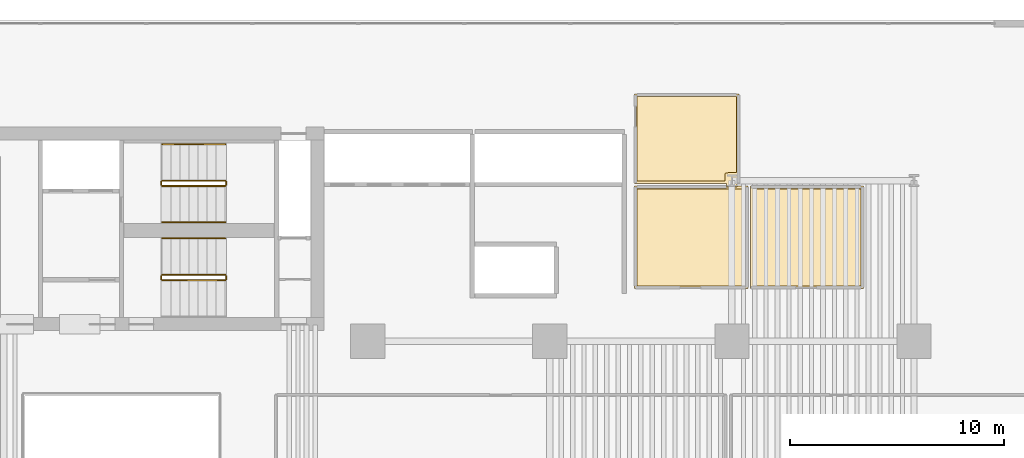
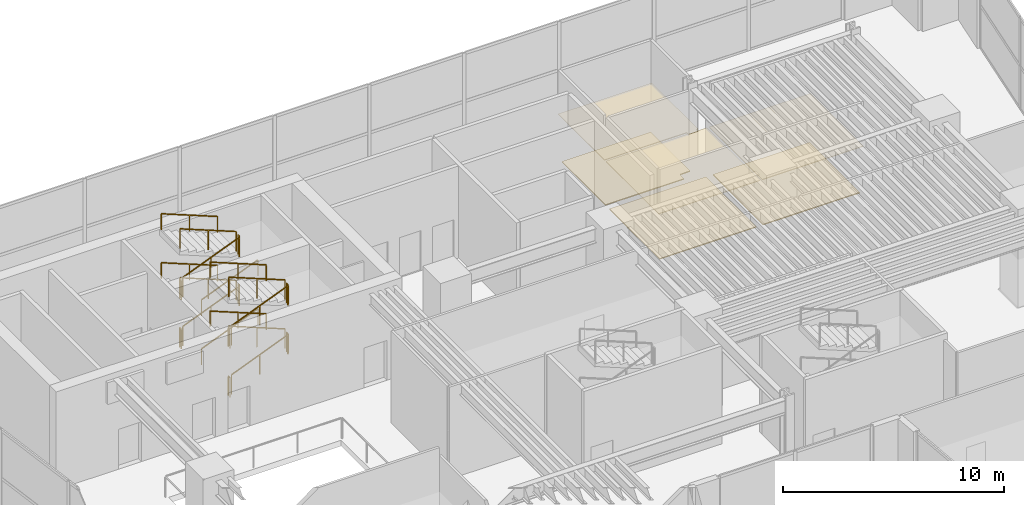
# One storey, part 17 of 17: 22 railings, 6 coverings.
"""IFC4 building model written with IfcOpenShell, lengths in metres."""

from ifc_helpers import new_model, si_unit, direction, frame, origin, origin_2d, place, context, subcontext, project, spatial, polyline, rectangle, outline, extrude, material, layer, layer_set, type_object, element, save


model = new_model("IFC4")

# Units and contexts
model_context = context("Model", 3, precision=1e-05, world=origin(), true_north=direction((0.0, 1.0)))
body_context = subcontext(model_context, "Body", "Model", "MODEL_VIEW")
ifc_project = project(units=[si_unit("LENGTHUNIT", "METRE"), si_unit("AREAUNIT", "SQUARE_METRE"), si_unit("VOLUMEUNIT", "CUBIC_METRE"), si_unit("PLANEANGLEUNIT", "RADIAN"), si_unit("MASSUNIT", "GRAM", prefix="KILO")], contexts=[model_context])

# Site, building, storey
site_placement = place(None, origin())
site = spatial("IfcSite", under=ifc_project, at=site_placement, CompositionType="ELEMENT")
building_placement = place(site_placement, origin())
building = spatial("IfcBuilding", under=site, at=building_placement, Name="Caeloran Harvest Quay", CompositionType="ELEMENT")
storey_placement = place(building_placement, frame((0.0, 0.0, 5.39990234375)))
storey = spatial("IfcBuildingStorey", under=building, at=storey_placement, Name="L02", CompositionType="ELEMENT", Elevation=5.39990234375)

# Coverings
ifc_material_1 = material(Name="Perforated Mineral-Fibre Acoustic Ceiling Tile", Category="ceiling")
ifc_layer_1 = layer(ifc_material_1, 0.0400390625, Name="Perforated Mineral-Fibre Acoustic Ceiling Tile")
ifc_layer_set_1 = layer_set([ifc_layer_1], Name="Perforated Mineral-Fibre Acoustic Ceiling Tile")
covering_type_1 = type_object("IfcCoveringType", Name="COV-CEILING-ACOUSTIC", PredefinedType="CEILING", material=ifc_layer_set_1)
covering_1_placement = place(storey_placement, frame((0.0, 0.0, 2.60009765625)))
element("IfcCovering", 1, at=covering_1_placement, inside=storey, type_object=covering_type_1, Name="L02 Public Male Washroom WC Acoustic Ceiling", PredefinedType="CEILING", context=body_context, shape_type="SweptSolid", body=[
    extrude(outline(polyline([(43.239990234375, 33.4599609375), (37.9599609375, 33.4599609375), (37.9599609375, 38.239990234375), (42.2529296875, 38.239990234375), (42.2529296875, 38.804443359375), (42.7470703125, 38.804443359375), (42.7470703125, 38.239990234375), (43.239990234375, 38.239990234375), (43.239990234375, 33.4599609375)])), origin(), (0.0, 0.0, 1.0), 0.0400390625),
])
covering_2_placement = place(storey_placement, frame((0.0, 0.0, 2.60009765625)))
element("IfcCovering", 2, at=covering_2_placement, inside=storey, type_object=covering_type_1, Name="L02 Public Female Washroom WC Acoustic Ceiling", PredefinedType="CEILING", context=body_context, shape_type="SweptSolid", body=[
    extrude(outline(polyline([(48.639892578125, 38.239990234375), (48.639892578125, 33.4599609375), (43.360107421875, 33.4599609375), (43.360107421875, 38.239990234375), (48.639892578125, 38.239990234375)])), origin(), (0.0, 0.0, 1.0), 0.0400390625),
])
covering_3_placement = place(storey_placement, frame((0.0, 0.0, 2.60009765625)))
element("IfcCovering", 3, at=covering_3_placement, inside=storey, type_object=covering_type_1, Name="L02 Accessible Unisex Washroom WC Acoustic Ceiling", PredefinedType="CEILING", context=body_context, shape_type="SweptSolid", body=[
    extrude(outline(polyline([(42.7470703125, 38.195556640625), (42.2529296875, 38.195556640625), (42.2529296875, 38.360107421875), (37.9599609375, 38.360107421875), (37.9599609375, 42.5400390625), (42.840087890625, 42.5400390625), (42.840087890625, 38.360107421875), (42.7470703125, 38.360107421875), (42.7470703125, 38.195556640625)])), origin(), (0.0, 0.0, 1.0), 0.0400390625),
])
ifc_material_2 = material(Name="Calcium-Sulphate Raised Access Floor and Terrazzo Finish", Category="flooring")
ifc_layer_2 = layer(ifc_material_2, 0.050048828125, Name="Calcium-Sulphate Raised Access Floor and Terrazzo Finish")
ifc_layer_set_2 = layer_set([ifc_layer_2], Name="Calcium-Sulphate Raised Access Floor and Terrazzo Finish")
covering_type_2 = type_object("IfcCoveringType", Name="COV-FLOOR-RAISED", PredefinedType="FLOORING", material=ifc_layer_set_2)
covering_4_placement = place(storey_placement, origin())
element("IfcCovering", 4, at=covering_4_placement, inside=storey, type_object=covering_type_2, Name="L02 Public Male Washroom WC Raised Finish Flooring", PredefinedType="FLOORING", context=body_context, shape_type="SweptSolid", body=[
    extrude(outline(polyline([(43.1201171875, 38.1201171875), (43.1201171875, 33.580078125), (38.080078125, 33.580078125), (38.080078125, 38.1201171875), (43.1201171875, 38.1201171875)])), origin(), (0.0, 0.0, 1.0), 0.050048828125),
])
covering_5_placement = place(storey_placement, origin())
element("IfcCovering", 5, at=covering_5_placement, inside=storey, type_object=covering_type_2, Name="L02 Public Female Washroom WC Raised Finish Flooring", PredefinedType="FLOORING", context=body_context, shape_type="SweptSolid", body=[
    extrude(outline(polyline([(48.52001953125, 38.1201171875), (48.52001953125, 33.580078125), (43.47998046875, 33.580078125), (43.47998046875, 38.1201171875), (48.52001953125, 38.1201171875)])), origin(), (0.0, 0.0, 1.0), 0.050048828125),
])
covering_6_placement = place(storey_placement, origin())
element("IfcCovering", 6, at=covering_6_placement, inside=storey, type_object=covering_type_2, Name="L02 Accessible Unisex Washroom WC Raised Finish Flooring", PredefinedType="FLOORING", context=body_context, shape_type="SweptSolid", body=[
    extrude(outline(polyline([(42.719970703125, 38.87939453125), (42.213623046875, 38.865966796875), (42.178466796875, 38.807373046875), (42.177978515625, 38.47998046875), (38.080078125, 38.47998046875), (38.080078125, 42.419921875), (42.719970703125, 42.419921875), (42.719970703125, 38.87939453125)])), origin(), (0.0, 0.0, 1.0), 0.050048828125),
])

# Railings
ifc_material_3 = material(Name="Painted Steel Baluster and Top-Rail Stair Guard", Category="steel")
ifc_layer_3 = layer(ifc_material_3, 0.050048828125, Name="Painted Steel Baluster and Top-Rail Stair Guard")
ifc_layer_set_3 = layer_set([ifc_layer_3], Name="Painted Steel Baluster and Top-Rail Stair Guard")
railing_type_1 = type_object("IfcRailingType", Name="STAIR-GUARD-1100", PredefinedType="GUARDRAIL", material=ifc_layer_set_3)
railing_1_placement = place(storey_placement, frame((15.89990234375, 38.25, 0.1689453125)))
element("IfcRailing", 7, at=railing_1_placement, inside=storey, type_object=railing_type_1, Name="L02 ST-C1 stair guard 1", PredefinedType="GUARDRAIL", context=body_context, shape_type="SweptSolid", body=[
    extrude(rectangle(XDim=0.048095703125, YDim=0.048095703125, at=origin_2d()), frame((0.0, 0.0, 1.076171875), z_axis=(0.927923022591, 0.0, 0.372771866088), x_axis=(0.0, 1.0, 0.0)), (0.0, 0.0, 1.0), 3.16845703125),
    extrude(rectangle(XDim=0.0419921875, YDim=0.0419921875, at=origin_2d()), origin(), (0.0, 0.0, 1.0), 1.052001953125),
    extrude(rectangle(XDim=0.0419921875, YDim=0.0419921875, at=origin_2d()), frame((1.47021484375, 0.0, 0.590576171875)), (0.0, 0.0, 1.0), 1.052001953125),
    extrude(rectangle(XDim=0.0419921875, YDim=0.0419921875, at=origin_2d()), frame((2.940185546875, 0.0, 1.18115234375)), (0.0, 0.0, 1.0), 1.052001953125),
])
railing_2_placement = place(storey_placement, frame((18.889892578125, 38.300048828125, 1.35009765625)))
element("IfcRailing", 8, at=railing_2_placement, inside=storey, type_object=railing_type_1, Name="L02 ST-C1 stair guard 2", PredefinedType="GUARDRAIL", context=body_context, shape_type="SweptSolid", body=[
    extrude(rectangle(XDim=0.048095703125, YDim=0.048095703125, at=origin_2d()), frame((0.0, 0.0, 1.076171875), z_axis=(0.0, 1.0, 0.0), x_axis=(-1.0, 0.0, 0.0)), (0.0, 0.0, 1.0), 0.14990234375),
    extrude(rectangle(XDim=0.0419921875, YDim=0.0419921875, at=origin_2d()), origin(), (0.0, 0.0, 1.0), 1.052001953125),
    extrude(rectangle(XDim=0.0419921875, YDim=0.0419921875, at=origin_2d()), frame((0.0, 0.14990234375, 0.0)), (0.0, 0.0, 1.0), 1.052001953125),
])
railing_3_placement = place(storey_placement, frame((18.840087890625, 38.5, 1.518798828125)))
element("IfcRailing", 9, at=railing_3_placement, inside=storey, type_object=railing_type_1, Name="L02 ST-C1 stair guard 3", PredefinedType="GUARDRAIL", context=body_context, shape_type="SweptSolid", body=[
    extrude(rectangle(XDim=0.048095703125, YDim=0.048095703125, at=origin_2d()), frame((0.0, 0.0, 1.076171875), z_axis=(-0.927896368829, 0.0, 0.372838207155), x_axis=(0.0, -1.0, 0.0)), (0.0, 0.0, 1.0), 3.168701171875),
    extrude(rectangle(XDim=0.0419921875, YDim=0.0419921875, at=origin_2d()), origin(), (0.0, 0.0, 1.0), 1.052001953125),
    extrude(rectangle(XDim=0.0419921875, YDim=0.0419921875, at=origin_2d()), frame((-1.47021484375, 0.0, 0.5908203125)), (0.0, 0.0, 1.0), 1.052001953125),
    extrude(rectangle(XDim=0.0419921875, YDim=0.0419921875, at=origin_2d()), frame((-2.940185546875, 0.0, 1.181396484375)), (0.0, 0.0, 1.0), 1.052001953125),
])
railing_4_placement = place(storey_placement, frame((15.85009765625, 38.300048828125, 2.7001953125)))
element("IfcRailing", 10, at=railing_4_placement, inside=storey, type_object=railing_type_1, Name="L02 ST-C1 stair guard 4", PredefinedType="GUARDRAIL", context=body_context, shape_type="SweptSolid", body=[
    extrude(rectangle(XDim=0.048095703125, YDim=0.048095703125, at=origin_2d()), frame((0.0, 0.0, 1.076171875), z_axis=(0.0, 1.0, 0.0), x_axis=(-1.0, 0.0, 0.0)), (0.0, 0.0, 1.0), 0.14990234375),
    extrude(rectangle(XDim=0.0419921875, YDim=0.0419921875, at=origin_2d()), origin(), (0.0, 0.0, 1.0), 1.052001953125),
    extrude(rectangle(XDim=0.0419921875, YDim=0.0419921875, at=origin_2d()), frame((0.0, 0.14990234375, 0.0)), (0.0, 0.0, 1.0), 1.052001953125),
])
railing_5_placement = place(storey_placement, frame((15.89990234375, 38.25, 2.868896484375)))
element("IfcRailing", 11, at=railing_5_placement, inside=storey, type_object=railing_type_1, Name="L02 ST-C1 stair guard 5", PredefinedType="GUARDRAIL", context=body_context, shape_type="SweptSolid", body=[
    extrude(rectangle(XDim=0.048095703125, YDim=0.048095703125, at=origin_2d()), frame((0.0, 0.0, 1.076171875), z_axis=(0.927923022591, 0.0, 0.372771866088), x_axis=(0.0, 1.0, 0.0)), (0.0, 0.0, 1.0), 3.16845703125),
    extrude(rectangle(XDim=0.0419921875, YDim=0.0419921875, at=origin_2d()), origin(), (0.0, 0.0, 1.0), 1.052001953125),
    extrude(rectangle(XDim=0.0419921875, YDim=0.0419921875, at=origin_2d()), frame((1.47021484375, 0.0, 0.590576171875)), (0.0, 0.0, 1.0), 1.052001953125),
    extrude(rectangle(XDim=0.0419921875, YDim=0.0419921875, at=origin_2d()), frame((2.940185546875, 0.0, 1.18115234375)), (0.0, 0.0, 1.0), 1.052001953125),
])
railing_6_placement = place(storey_placement, frame((18.889892578125, 38.300048828125, 4.050048828125)))
element("IfcRailing", 12, at=railing_6_placement, inside=storey, type_object=railing_type_1, Name="L02 ST-C1 stair guard 6", PredefinedType="GUARDRAIL", context=body_context, shape_type="SweptSolid", body=[
    extrude(rectangle(XDim=0.048095703125, YDim=0.048095703125, at=origin_2d()), frame((0.0, 0.0, 1.076171875), z_axis=(0.0, 1.0, 0.0), x_axis=(-1.0, 0.0, 0.0)), (0.0, 0.0, 1.0), 0.14990234375),
    extrude(rectangle(XDim=0.0419921875, YDim=0.0419921875, at=origin_2d()), origin(), (0.0, 0.0, 1.0), 1.052001953125),
    extrude(rectangle(XDim=0.0419921875, YDim=0.0419921875, at=origin_2d()), frame((0.0, 0.14990234375, 0.0)), (0.0, 0.0, 1.0), 1.052001953125),
])
railing_7_placement = place(storey_placement, frame((18.840087890625, 38.5, 4.21875)))
element("IfcRailing", 13, at=railing_7_placement, inside=storey, type_object=railing_type_1, Name="L02 ST-C1 stair guard 7", PredefinedType="GUARDRAIL", context=body_context, shape_type="SweptSolid", body=[
    extrude(rectangle(XDim=0.048095703125, YDim=0.048095703125, at=origin_2d()), frame((0.0, 0.0, 1.076171875), z_axis=(-0.927896368829, 0.0, 0.372838207155), x_axis=(0.0, -1.0, 0.0)), (0.0, 0.0, 1.0), 3.168701171875),
    extrude(rectangle(XDim=0.0419921875, YDim=0.0419921875, at=origin_2d()), origin(), (0.0, 0.0, 1.0), 1.052001953125),
    extrude(rectangle(XDim=0.0419921875, YDim=0.0419921875, at=origin_2d()), frame((-1.47021484375, 0.0, 0.5908203125)), (0.0, 0.0, 1.0), 1.052001953125),
    extrude(rectangle(XDim=0.0419921875, YDim=0.0419921875, at=origin_2d()), frame((-2.940185546875, 0.0, 1.181396484375)), (0.0, 0.0, 1.0), 1.052001953125),
])
railing_8_placement = place(storey_placement, frame((15.85009765625, 38.300048828125, 0.0)))
element("IfcRailing", 14, at=railing_8_placement, inside=storey, type_object=railing_type_1, Name="L02 ST-C1 stair guard 8", PredefinedType="GUARDRAIL", context=body_context, shape_type="SweptSolid", body=[
    extrude(rectangle(XDim=0.048095703125, YDim=0.048095703125, at=origin_2d()), frame((0.0, 0.0, 1.076171875), z_axis=(0.0, 1.0, 0.0), x_axis=(-1.0, 0.0, 0.0)), (0.0, 0.0, 1.0), 0.14990234375),
    extrude(rectangle(XDim=0.0419921875, YDim=0.0419921875, at=origin_2d()), origin(), (0.0, 0.0, 1.0), 1.052001953125),
    extrude(rectangle(XDim=0.0419921875, YDim=0.0419921875, at=origin_2d()), frame((0.0, 0.14990234375, 0.0)), (0.0, 0.0, 1.0), 1.052001953125),
])
railing_9_placement = place(storey_placement, frame((15.89990234375, 33.85009765625, 0.1689453125)))
element("IfcRailing", 15, at=railing_9_placement, inside=storey, type_object=railing_type_1, Name="L02 ST-C2 stair guard 1", PredefinedType="GUARDRAIL", context=body_context, shape_type="SweptSolid", body=[
    extrude(rectangle(XDim=0.048095703125, YDim=0.048095703125, at=origin_2d()), frame((0.0, 0.0, 1.076171875), z_axis=(0.927923022591, 0.0, 0.372771866088), x_axis=(0.0, 1.0, 0.0)), (0.0, 0.0, 1.0), 3.16845703125),
    extrude(rectangle(XDim=0.0419921875, YDim=0.0419921875, at=origin_2d()), origin(), (0.0, 0.0, 1.0), 1.052001953125),
    extrude(rectangle(XDim=0.0419921875, YDim=0.0419921875, at=origin_2d()), frame((1.47021484375, 0.0, 0.590576171875)), (0.0, 0.0, 1.0), 1.052001953125),
    extrude(rectangle(XDim=0.0419921875, YDim=0.0419921875, at=origin_2d()), frame((2.940185546875, 0.0, 1.18115234375)), (0.0, 0.0, 1.0), 1.052001953125),
])
railing_10_placement = place(storey_placement, frame((18.889892578125, 33.89990234375, 1.35009765625)))
element("IfcRailing", 16, at=railing_10_placement, inside=storey, type_object=railing_type_1, Name="L02 ST-C2 stair guard 2", PredefinedType="GUARDRAIL", context=body_context, shape_type="SweptSolid", body=[
    extrude(rectangle(XDim=0.048095703125, YDim=0.048095703125, at=origin_2d()), frame((0.0, 0.0, 1.076171875), z_axis=(0.0, 1.0, 0.0), x_axis=(-1.0, 0.0, 0.0)), (0.0, 0.0, 1.0), 0.150146484375),
    extrude(rectangle(XDim=0.0419921875, YDim=0.0419921875, at=origin_2d()), origin(), (0.0, 0.0, 1.0), 1.052001953125),
    extrude(rectangle(XDim=0.0419921875, YDim=0.0419921875, at=origin_2d()), frame((0.0, 0.150146484375, 0.0)), (0.0, 0.0, 1.0), 1.052001953125),
])
railing_11_placement = place(storey_placement, frame((18.840087890625, 34.10009765625, 1.518798828125)))
element("IfcRailing", 17, at=railing_11_placement, inside=storey, type_object=railing_type_1, Name="L02 ST-C2 stair guard 3", PredefinedType="GUARDRAIL", context=body_context, shape_type="SweptSolid", body=[
    extrude(rectangle(XDim=0.048095703125, YDim=0.048095703125, at=origin_2d()), frame((0.0, 0.0, 1.076171875), z_axis=(-0.927896368829, 0.0, 0.372838207155), x_axis=(0.0, -1.0, 0.0)), (0.0, 0.0, 1.0), 3.168701171875),
    extrude(rectangle(XDim=0.0419921875, YDim=0.0419921875, at=origin_2d()), origin(), (0.0, 0.0, 1.0), 1.052001953125),
    extrude(rectangle(XDim=0.0419921875, YDim=0.0419921875, at=origin_2d()), frame((-1.47021484375, 0.0, 0.5908203125)), (0.0, 0.0, 1.0), 1.052001953125),
    extrude(rectangle(XDim=0.0419921875, YDim=0.0419921875, at=origin_2d()), frame((-2.940185546875, 0.0, 1.181396484375)), (0.0, 0.0, 1.0), 1.052001953125),
])
railing_12_placement = place(storey_placement, frame((15.85009765625, 33.89990234375, 2.7001953125)))
element("IfcRailing", 18, at=railing_12_placement, inside=storey, type_object=railing_type_1, Name="L02 ST-C2 stair guard 4", PredefinedType="GUARDRAIL", context=body_context, shape_type="SweptSolid", body=[
    extrude(rectangle(XDim=0.048095703125, YDim=0.048095703125, at=origin_2d()), frame((0.0, 0.0, 1.076171875), z_axis=(0.0, 1.0, 0.0), x_axis=(-1.0, 0.0, 0.0)), (0.0, 0.0, 1.0), 0.150146484375),
    extrude(rectangle(XDim=0.0419921875, YDim=0.0419921875, at=origin_2d()), origin(), (0.0, 0.0, 1.0), 1.052001953125),
    extrude(rectangle(XDim=0.0419921875, YDim=0.0419921875, at=origin_2d()), frame((0.0, 0.150146484375, 0.0)), (0.0, 0.0, 1.0), 1.052001953125),
])
railing_13_placement = place(storey_placement, frame((15.89990234375, 33.85009765625, 2.868896484375)))
element("IfcRailing", 19, at=railing_13_placement, inside=storey, type_object=railing_type_1, Name="L02 ST-C2 stair guard 5", PredefinedType="GUARDRAIL", context=body_context, shape_type="SweptSolid", body=[
    extrude(rectangle(XDim=0.048095703125, YDim=0.048095703125, at=origin_2d()), frame((0.0, 0.0, 1.076171875), z_axis=(0.927923022591, 0.0, 0.372771866088), x_axis=(0.0, 1.0, 0.0)), (0.0, 0.0, 1.0), 3.16845703125),
    extrude(rectangle(XDim=0.0419921875, YDim=0.0419921875, at=origin_2d()), origin(), (0.0, 0.0, 1.0), 1.052001953125),
    extrude(rectangle(XDim=0.0419921875, YDim=0.0419921875, at=origin_2d()), frame((1.47021484375, 0.0, 0.590576171875)), (0.0, 0.0, 1.0), 1.052001953125),
    extrude(rectangle(XDim=0.0419921875, YDim=0.0419921875, at=origin_2d()), frame((2.940185546875, 0.0, 1.18115234375)), (0.0, 0.0, 1.0), 1.052001953125),
])
railing_14_placement = place(storey_placement, frame((18.889892578125, 33.89990234375, 4.050048828125)))
element("IfcRailing", 20, at=railing_14_placement, inside=storey, type_object=railing_type_1, Name="L02 ST-C2 stair guard 6", PredefinedType="GUARDRAIL", context=body_context, shape_type="SweptSolid", body=[
    extrude(rectangle(XDim=0.048095703125, YDim=0.048095703125, at=origin_2d()), frame((0.0, 0.0, 1.076171875), z_axis=(0.0, 1.0, 0.0), x_axis=(-1.0, 0.0, 0.0)), (0.0, 0.0, 1.0), 0.150146484375),
    extrude(rectangle(XDim=0.0419921875, YDim=0.0419921875, at=origin_2d()), origin(), (0.0, 0.0, 1.0), 1.052001953125),
    extrude(rectangle(XDim=0.0419921875, YDim=0.0419921875, at=origin_2d()), frame((0.0, 0.150146484375, 0.0)), (0.0, 0.0, 1.0), 1.052001953125),
])
railing_15_placement = place(storey_placement, frame((18.840087890625, 34.10009765625, 4.21875)))
element("IfcRailing", 21, at=railing_15_placement, inside=storey, type_object=railing_type_1, Name="L02 ST-C2 stair guard 7", PredefinedType="GUARDRAIL", context=body_context, shape_type="SweptSolid", body=[
    extrude(rectangle(XDim=0.048095703125, YDim=0.048095703125, at=origin_2d()), frame((0.0, 0.0, 1.076171875), z_axis=(-0.927896368829, 0.0, 0.372838207155), x_axis=(0.0, -1.0, 0.0)), (0.0, 0.0, 1.0), 3.168701171875),
    extrude(rectangle(XDim=0.0419921875, YDim=0.0419921875, at=origin_2d()), origin(), (0.0, 0.0, 1.0), 1.052001953125),
    extrude(rectangle(XDim=0.0419921875, YDim=0.0419921875, at=origin_2d()), frame((-1.47021484375, 0.0, 0.5908203125)), (0.0, 0.0, 1.0), 1.052001953125),
    extrude(rectangle(XDim=0.0419921875, YDim=0.0419921875, at=origin_2d()), frame((-2.940185546875, 0.0, 1.181396484375)), (0.0, 0.0, 1.0), 1.052001953125),
])
railing_16_placement = place(storey_placement, frame((15.85009765625, 33.89990234375, 0.0)))
element("IfcRailing", 22, at=railing_16_placement, inside=storey, type_object=railing_type_1, Name="L02 ST-C2 stair guard 8", PredefinedType="GUARDRAIL", context=body_context, shape_type="SweptSolid", body=[
    extrude(rectangle(XDim=0.048095703125, YDim=0.048095703125, at=origin_2d()), frame((0.0, 0.0, 1.076171875), z_axis=(0.0, 1.0, 0.0), x_axis=(-1.0, 0.0, 0.0)), (0.0, 0.0, 1.0), 0.150146484375),
    extrude(rectangle(XDim=0.0419921875, YDim=0.0419921875, at=origin_2d()), origin(), (0.0, 0.0, 1.0), 1.052001953125),
    extrude(rectangle(XDim=0.0419921875, YDim=0.0419921875, at=origin_2d()), frame((0.0, 0.150146484375, 0.0)), (0.0, 0.0, 1.0), 1.052001953125),
])
ifc_material_4 = material(Name="Brushed Stainless Steel Grade 304", Category="steel")
ifc_layer_4 = layer(ifc_material_4, 0.050048828125, Name="Brushed Stainless Steel Grade 304")
ifc_layer_set_4 = layer_set([ifc_layer_4], Name="Brushed Stainless Steel Grade 304")
railing_type_2 = type_object("IfcRailingType", Name="STAIR-HANDRAIL-900", PredefinedType="HANDRAIL", material=ifc_layer_set_4)
railing_17_placement = place(storey_placement, frame((15.89990234375, 36.550048828125, 0.1689453125)))
element("IfcRailing", 23, at=railing_17_placement, inside=storey, type_object=railing_type_2, Name="L02 ST-C1 stair handrail 1", PredefinedType="HANDRAIL", context=body_context, shape_type="SweptSolid", body=[
    extrude(rectangle(XDim=0.048095703125, YDim=0.048095703125, at=origin_2d()), frame((0.0, 0.0, 0.8759765625), z_axis=(0.927923022591, 0.0, 0.372771866088), x_axis=(0.0, 1.0, 0.0)), (0.0, 0.0, 1.0), 3.16845703125),
    extrude(rectangle(XDim=0.0419921875, YDim=0.0419921875, at=origin_2d()), origin(), (0.0, 0.0, 1.0), 0.851806640625),
    extrude(rectangle(XDim=0.0419921875, YDim=0.0419921875, at=origin_2d()), frame((1.47021484375, 0.0, 0.590576171875)), (0.0, 0.0, 1.0), 0.851806640625),
    extrude(rectangle(XDim=0.0419921875, YDim=0.0419921875, at=origin_2d()), frame((2.940185546875, 0.0, 1.18115234375)), (0.0, 0.0, 1.0), 0.851806640625),
])
railing_18_placement = place(storey_placement, frame((18.840087890625, 40.199951171875, 1.518798828125)))
element("IfcRailing", 24, at=railing_18_placement, inside=storey, type_object=railing_type_2, Name="L02 ST-C1 stair handrail 2", PredefinedType="HANDRAIL", context=body_context, shape_type="SweptSolid", body=[
    extrude(rectangle(XDim=0.048095703125, YDim=0.048095703125, at=origin_2d()), frame((0.0, 0.0, 0.8759765625), z_axis=(-0.927896368829, 0.0, 0.372838207155), x_axis=(0.0, -1.0, 0.0)), (0.0, 0.0, 1.0), 3.168701171875),
    extrude(rectangle(XDim=0.0419921875, YDim=0.0419921875, at=origin_2d()), origin(), (0.0, 0.0, 1.0), 0.851806640625),
    extrude(rectangle(XDim=0.0419921875, YDim=0.0419921875, at=origin_2d()), frame((-1.47021484375, 0.0, 0.5908203125)), (0.0, 0.0, 1.0), 0.851806640625),
    extrude(rectangle(XDim=0.0419921875, YDim=0.0419921875, at=origin_2d()), frame((-2.940185546875, 0.0, 1.181396484375)), (0.0, 0.0, 1.0), 0.851806640625),
])
railing_19_placement = place(storey_placement, frame((15.89990234375, 36.550048828125, 2.868896484375)))
element("IfcRailing", 25, at=railing_19_placement, inside=storey, type_object=railing_type_2, Name="L02 ST-C1 stair handrail 3", PredefinedType="HANDRAIL", context=body_context, shape_type="SweptSolid", body=[
    extrude(rectangle(XDim=0.048095703125, YDim=0.048095703125, at=origin_2d()), frame((0.0, 0.0, 0.8759765625), z_axis=(0.927923022591, 0.0, 0.372771866088), x_axis=(0.0, 1.0, 0.0)), (0.0, 0.0, 1.0), 3.16845703125),
    extrude(rectangle(XDim=0.0419921875, YDim=0.0419921875, at=origin_2d()), origin(), (0.0, 0.0, 1.0), 0.851806640625),
    extrude(rectangle(XDim=0.0419921875, YDim=0.0419921875, at=origin_2d()), frame((1.47021484375, 0.0, 0.590576171875)), (0.0, 0.0, 1.0), 0.851806640625),
    extrude(rectangle(XDim=0.0419921875, YDim=0.0419921875, at=origin_2d()), frame((2.940185546875, 0.0, 1.18115234375)), (0.0, 0.0, 1.0), 0.851806640625),
])
for number, where, name in (
    (26, (18.840087890625, 40.199951171875, 4.21875), "L02 ST-C1 stair handrail 4"),
    (27, (18.840087890625, 35.800048828125, 1.518798828125), "L02 ST-C2 stair handrail 2"),
    (28, (18.840087890625, 35.800048828125, 4.21875), "L02 ST-C2 stair handrail 4"),
):
    element("IfcRailing", number, at=place(storey_placement, frame(where)), inside=storey, type_object=railing_type_2, Name=name, PredefinedType="HANDRAIL", context=body_context, shape_type="SweptSolid", body=[
        extrude(rectangle(XDim=0.048095703125, YDim=0.048095703125, at=origin_2d()), frame((0.0, 0.0, 0.8759765625), z_axis=(-0.927896368829, 0.0, 0.372838207155), x_axis=(0.0, -1.0, 0.0)), (0.0, 0.0, 1.0), 3.168701171875),
        extrude(rectangle(XDim=0.0419921875, YDim=0.0419921875, at=origin_2d()), origin(), (0.0, 0.0, 1.0), 0.851806640625),
        extrude(rectangle(XDim=0.0419921875, YDim=0.0419921875, at=origin_2d()), frame((-1.47021484375, 0.0, 0.5908203125)), (0.0, 0.0, 1.0), 0.851806640625),
        extrude(rectangle(XDim=0.0419921875, YDim=0.0419921875, at=origin_2d()), frame((-2.940185546875, 0.0, 1.181396484375)), (0.0, 0.0, 1.0), 0.851806640625),
    ])

save(model, "model.ifc")
